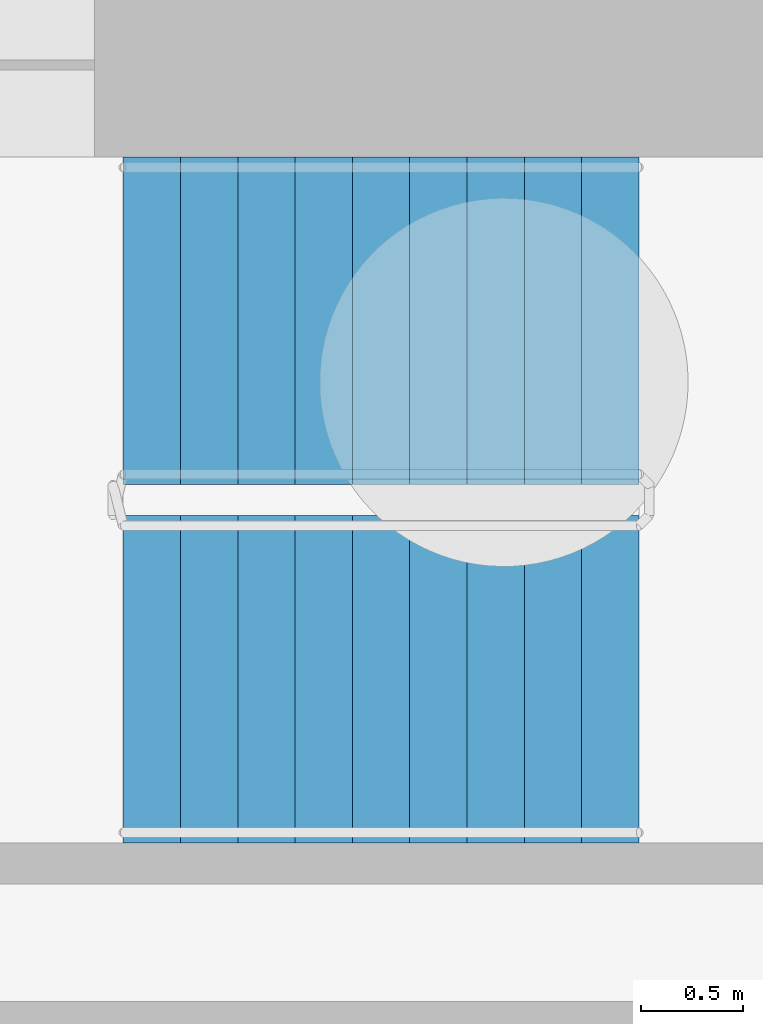
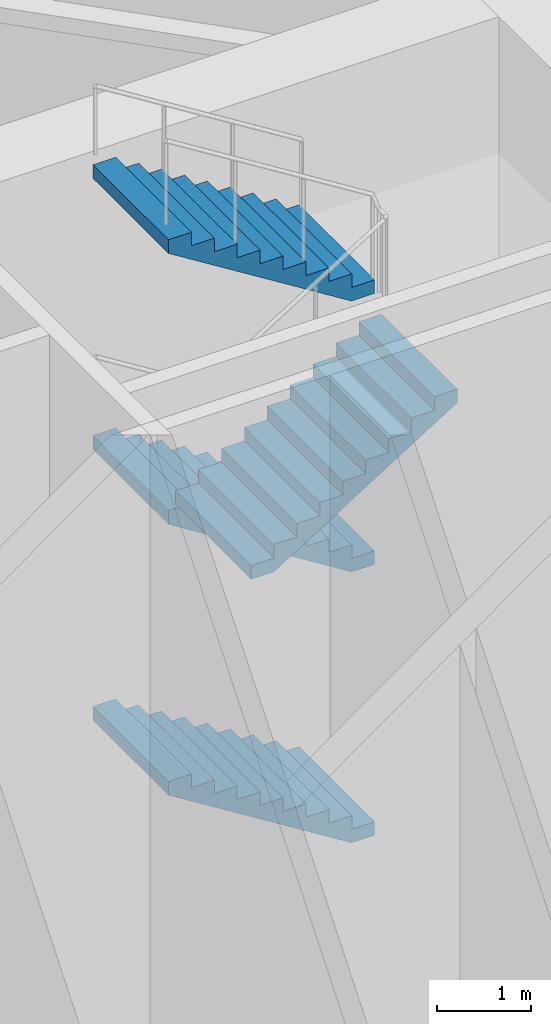
# One storey, part 27 of 31: 4 stair flights, 1 element without a shape of its own.
"""IFC4 building model written with IfcOpenShell, lengths in metres."""

import ifcopenshell
import ifcopenshell.guid

model = None  # the IFC model being written
_history = None  # IfcOwnerHistory: only IFC2X3 demands one
_inside = {}  # id of a spatial element -> (the spatial element, [elements in it])
_under = {}  # id of a project, library or spatial element -> (it, [spatial elements below it])
_declared = {}  # id of a project -> (the project, [libraries it declares])
_typed = {}  # id of a type object -> (the type object, [elements of that type])
_made_of = {}  # id of a material, layer set ... -> (it, [elements and type objects made of it])


def new_model(schema):
    """Start an empty IFC model of exactly this schema.

    Asked for "IFC4X3", IfcOpenShell would pick the latest addendum, in which some entities
    have other attributes; the version numbers below select the first issue.
    IFC2X3 requires an IfcOwnerHistory on every rooted entity: one is made here for all.
    """
    global model, _history
    if schema == "IFC4X3":
        model = ifcopenshell.file(schema_version=(4, 3, 0, 0))
    else:
        model = ifcopenshell.file(schema=schema)
    _inside.clear()
    _under.clear()
    _declared.clear()
    _typed.clear()
    _made_of.clear()
    _history = None
    if model.schema == "IFC2X3":
        org = make("IfcOrganization", Name="unknown")
        user = make(
            "IfcPersonAndOrganization",
            ThePerson=make("IfcPerson", FamilyName="unknown"),
            TheOrganization=org,
        )
        app = make(
            "IfcApplication",
            ApplicationDeveloper=org,
            Version="unknown",
            ApplicationFullName="unknown",
            ApplicationIdentifier="unknown",
        )
        _history = make(
            "IfcOwnerHistory",
            OwningUser=user,
            OwningApplication=app,
            ChangeAction="ADDED",
            CreationDate=0,
        )
    return model


def make(cls, **values):
    """One entity of the class cls with the attributes given. An attribute that is None is left unset."""
    return model.create_entity(
        cls, **{name: value for name, value in values.items() if value is not None}
    )


def rooted(cls, **values):
    """An entity with a GlobalId (a new one), such as an element, a storey or a relation."""
    return make(cls, GlobalId=ifcopenshell.guid.new(), OwnerHistory=_history, **values)


def si_unit(unit_type, name, prefix=None):
    """IfcSIUnit, for example si_unit("LENGTHUNIT", "METRE", prefix="MILLI")."""
    return make("IfcSIUnit", UnitType=unit_type, Prefix=prefix, Name=name)


def assignment(units):
    """IfcUnitAssignment: the units of a project."""
    return None if units is None else make("IfcUnitAssignment", Units=units)


def point(xyz):
    """IfcCartesianPoint."""
    return None if xyz is None else make("IfcCartesianPoint", Coordinates=xyz)


def direction(xyz):
    """IfcDirection."""
    return None if xyz is None else make("IfcDirection", DirectionRatios=xyz)


def frame(location, z_axis=None, x_axis=None):
    """IfcAxis2Placement3D, a coordinate frame: its origin and axes. An axis left out is left unset."""
    return make(
        "IfcAxis2Placement3D",
        Location=point(location),
        Axis=direction(z_axis),
        RefDirection=direction(x_axis),
    )


def origin():
    """The frame at (0, 0, 0) with its axes left unset."""
    return frame((0.0, 0.0, 0.0))


def place(relative_to, where):
    """IfcLocalPlacement: puts the frame where relative to a parent placement (None: the world)."""
    return make(
        "IfcLocalPlacement", PlacementRelTo=relative_to, RelativePlacement=where
    )


def context(
    kind, dimensions, precision=None, world=None, true_north=None, identifier=None
):
    """IfcGeometricRepresentationContext, for example the 3D "Model" context."""
    return make(
        "IfcGeometricRepresentationContext",
        ContextIdentifier=identifier,
        ContextType=kind,
        CoordinateSpaceDimension=dimensions,
        Precision=precision,
        WorldCoordinateSystem=world,
        TrueNorth=true_north,
    )


def subcontext(parent, identifier, kind, view, scale=None):
    """IfcGeometricRepresentationSubContext, for example "Body" below "Model"."""
    return make(
        "IfcGeometricRepresentationSubContext",
        ContextIdentifier=identifier,
        ContextType=kind,
        ParentContext=parent,
        TargetScale=scale,
        TargetView=view,
    )


def project(units=None, contexts=None):
    """IfcProject with its units and contexts."""
    return rooted(
        "IfcProject",
        Name="project",
        RepresentationContexts=contexts,
        UnitsInContext=assignment(units),
    )


def spatial(cls, under=None, at=None, **own):
    """A site, building, storey or space (cls), placed at a placement, below another one or the project."""
    s = rooted(cls, ObjectPlacement=at, **own)
    if under is not None:
        _under.setdefault(under.id(), (under, []))[1].append(s)
    return s


def polyline(points):
    """IfcPolyline through the points."""
    return make("IfcPolyline", Points=[point(p) for p in points])


def outline(outer, holes=None, kind="AREA"):
    """IfcArbitraryClosedProfileDef: a profile drawn as a closed curve; with holes, ...WithVoids."""
    if holes is None:
        return make("IfcArbitraryClosedProfileDef", ProfileType=kind, OuterCurve=outer)
    return make(
        "IfcArbitraryProfileDefWithVoids",
        ProfileType=kind,
        OuterCurve=outer,
        InnerCurves=holes,
    )


def extrude(swept, where, along, depth):
    """IfcExtrudedAreaSolid: the profile swept, set in the frame where, extruded along a direction by depth."""
    return make(
        "IfcExtrudedAreaSolid",
        SweptArea=swept,
        Position=where,
        ExtrudedDirection=direction(along),
        Depth=depth,
    )


def shape(context_of_items, identifier, shape_type, items):
    """IfcShapeRepresentation: the items that make up one representation, for example the "Body"."""
    return make(
        "IfcShapeRepresentation",
        ContextOfItems=context_of_items,
        RepresentationIdentifier=identifier,
        RepresentationType=shape_type,
        Items=items,
    )


def material(Name=None, Category=None):
    """IfcMaterial."""
    return make("IfcMaterial", Name=Name, Category=Category)


def made_of(thing, what):
    """Note that an element or type object is made of a material, layer set ...; save() writes the relation."""
    if what is not None:
        _made_of.setdefault(what.id(), (what, []))[1].append(thing)
    return thing


def type_object(cls, material=None, **own):
    """A type object (cls), such as IfcWallType, which elements share."""
    return made_of(rooted(cls, **own), material)


def element(
    cls,
    number,
    at=None,
    inside=None,
    cuts=None,
    type_object=None,
    material=None,
    context=None,
    identifier="Body",
    shape_type=None,
    held_by="IfcProductDefinitionShape",
    body=None,
    shapes=None,
    **own,
):
    """One element of the class cls, such as IfcWall. Its Tag is "e" and its number.

    at: its placement. inside: the storey or other place that contains it. cuts: it is an
    opening in that element (IfcRelVoidsElement). A single representation is given by context,
    identifier, shape_type and body (its items); several are given by shapes. held_by: the class
    of the entity that holds the representations. save() writes the other relations.
    """
    e = rooted(cls, Tag="e%d" % number, ObjectPlacement=at, **own)
    if body is not None:
        shapes = [shape(context, identifier, shape_type, body)]
    if shapes is not None:
        e.Representation = make(held_by, Representations=shapes)
    if inside is not None:
        _inside.setdefault(inside.id(), (inside, []))[1].append(e)
    if cuts is not None:
        rooted(
            "IfcRelVoidsElement", RelatingBuildingElement=cuts, RelatedOpeningElement=e
        )
    if type_object is not None:
        _typed.setdefault(type_object.id(), (type_object, []))[1].append(e)
    return made_of(e, material)


def aggregate(whole, parts):
    """IfcRelAggregates: a whole, such as a stair, and the parts it consists of."""
    return rooted("IfcRelAggregates", RelatingObject=whole, RelatedObjects=parts)


def save(model, path):
    """Write the relations noted so far, then the file.

    IfcRelAggregates (storeys below a building ...), IfcRelContainedInSpatialStructure (elements
    in a storey), IfcRelDefinesByType, IfcRelAssociatesMaterial and IfcRelDeclares: one each for
    every whole, place, type object, material and project.
    """
    for whole, parts in _under.values():
        aggregate(whole, parts)
    for where, things in _inside.values():
        rooted(
            "IfcRelContainedInSpatialStructure",
            RelatedElements=things,
            RelatingStructure=where,
        )
    for kind, things in _typed.values():
        rooted("IfcRelDefinesByType", RelatedObjects=things, RelatingType=kind)
    for what, things in _made_of.values():
        rooted("IfcRelAssociatesMaterial", RelatedObjects=things, RelatingMaterial=what)
    for by, libraries in _declared.values():
        rooted("IfcRelDeclares", RelatingContext=by, RelatedDefinitions=libraries)
    model.write(path)


model = new_model("IFC4")

# Units and contexts
model_context = context("Model", 3, precision=1e-05, world=origin(), true_north=direction((0.0, 1.0)))
body_context = subcontext(model_context, "Body", "Model", "MODEL_VIEW")
ifc_project = project(units=[si_unit("LENGTHUNIT", "METRE"), si_unit("AREAUNIT", "SQUARE_METRE"), si_unit("VOLUMEUNIT", "CUBIC_METRE"), si_unit("PLANEANGLEUNIT", "RADIAN"), si_unit("MASSUNIT", "GRAM", prefix="KILO")], contexts=[model_context])

# Site, building, storey
site_placement = place(None, origin())
site = spatial("IfcSite", under=ifc_project, at=site_placement, CompositionType="ELEMENT")
building_placement = place(site_placement, origin())
building = spatial("IfcBuilding", under=site, at=building_placement, Name="Orlundy Tower", CompositionType="ELEMENT")
storey_placement = place(building_placement, origin())
storey = spatial("IfcBuildingStorey", under=building, at=storey_placement, Name="L00", CompositionType="ELEMENT", Elevation=0.0)

# Stair, stair flights
ifc_material_1 = material(Name="Concrete C50/60", Category="concrete")
stair_type = type_object("IfcStairType", Name="Exit Stair 60 risers", PredefinedType="HALF_TURN_STAIR", material=ifc_material_1)
stair_placement = place(storey_placement, origin())
stair = element("IfcStair", 1, at=stair_placement, inside=storey, type_object=stair_type, Name="L00 Exit Stair ST-E2", PredefinedType="HALF_TURN_STAIR")
ifc_material_2 = material(Name="Concrete C50/60", Category="concrete")
stair_flight_type = type_object("IfcStairFlightType", Name="Stair Flight 10 risers", PredefinedType="STRAIGHT", material=ifc_material_2)
stair_flight_1_placement = place(storey_placement, frame((15.659912109375, 10.300048828125, 1.75), z_axis=(0.0, 0.0, 1.0), x_axis=(-1.0, 0.0, 0.0)))
stair_flight_1 = element("IfcStairFlight", 2, at=stair_flight_1_placement, type_object=stair_flight_type, Name="ST-E2 flight 2", NumberOfRisers=10, NumberOfTreads=9, PredefinedType="STRAIGHT", RiserHeight=0.175, TreadLength=0.28, context=body_context, shape_type="SweptSolid", body=[
    extrude(outline(polyline([(0.0, 0.0), (0.0, 0.175048828125), (0.280029296875, 0.175048828125), (0.280029296875, 0.35009765625), (0.56005859375, 0.35009765625), (0.56005859375, 0.52490234375), (0.840087890625, 0.52490234375), (0.840087890625, 0.699951171875), (1.1201171875, 0.699951171875), (1.1201171875, 0.875), (1.39990234375, 0.875), (1.39990234375, 1.050048828125), (1.679931640625, 1.050048828125), (1.679931640625, 1.22509765625), (1.9599609375, 1.22509765625), (1.9599609375, 1.39990234375), (2.239990234375, 1.39990234375), (2.239990234375, 1.574951171875), (2.52001953125, 1.574951171875), (2.52001953125, 1.75), (2.52001953125, 1.398193359375), (0.28271484375, 0.0), (0.0, 0.0)])), frame((0.0, 0.800048828125, 0.0), z_axis=(0.0, -1.0, 0.0), x_axis=(1.0, 0.0, 0.0)), (0.0, 0.0, 1.0), 1.60009765625),
])
stair_flight_2_placement = place(storey_placement, frame((15.659912109375, 10.300048828125, 5.25), z_axis=(0.0, 0.0, 1.0), x_axis=(-1.0, 0.0, 0.0)))
stair_flight_2 = element("IfcStairFlight", 3, at=stair_flight_2_placement, type_object=stair_flight_type, Name="ST-E2 flight 4", NumberOfRisers=10, NumberOfTreads=9, PredefinedType="STRAIGHT", RiserHeight=0.175, TreadLength=0.28, context=body_context, shape_type="SweptSolid", body=[
    extrude(outline(polyline([(0.0, 0.0), (0.0, 0.175048828125), (0.280029296875, 0.175048828125), (0.280029296875, 0.35009765625), (0.56005859375, 0.35009765625), (0.56005859375, 0.52490234375), (0.840087890625, 0.52490234375), (0.840087890625, 0.699951171875), (1.1201171875, 0.699951171875), (1.1201171875, 0.875), (1.39990234375, 0.875), (1.39990234375, 1.050048828125), (1.679931640625, 1.050048828125), (1.679931640625, 1.22509765625), (1.9599609375, 1.22509765625), (1.9599609375, 1.39990234375), (2.239990234375, 1.39990234375), (2.239990234375, 1.574951171875), (2.52001953125, 1.574951171875), (2.52001953125, 1.75), (2.52001953125, 1.398193359375), (0.28271484375, 0.0), (0.0, 0.0)])), frame((0.0, 0.800048828125, 0.0), z_axis=(0.0, -1.0, 0.0), x_axis=(1.0, 0.0, 0.0)), (0.0, 0.0, 1.0), 1.60009765625),
])
stair_flight_3_placement = place(storey_placement, frame((13.139892578125, 8.550048828125, 7.0), z_axis=(0.0, 0.0, 1.0), x_axis=(1.0, 0.0, 0.0)))
stair_flight_3 = element("IfcStairFlight", 4, at=stair_flight_3_placement, type_object=stair_flight_type, Name="ST-E2 flight 5", NumberOfRisers=10, NumberOfTreads=9, PredefinedType="STRAIGHT", RiserHeight=0.175, TreadLength=0.28, context=body_context, shape_type="SweptSolid", body=[
    extrude(outline(polyline([(0.0, 0.0), (0.0, 0.175048828125), (0.280029296875, 0.175048828125), (0.280029296875, 0.35009765625), (0.56005859375, 0.35009765625), (0.56005859375, 0.52490234375), (0.840087890625, 0.52490234375), (0.840087890625, 0.699951171875), (1.1201171875, 0.699951171875), (1.1201171875, 0.875), (1.39990234375, 0.875), (1.39990234375, 1.050048828125), (1.679931640625, 1.050048828125), (1.679931640625, 1.22509765625), (1.9599609375, 1.22509765625), (1.9599609375, 1.39990234375), (2.239990234375, 1.39990234375), (2.239990234375, 1.574951171875), (2.52001953125, 1.574951171875), (2.52001953125, 1.75), (2.52001953125, 1.398193359375), (0.28271484375, 0.0), (0.0, 0.0)])), frame((0.0, 0.800048828125, 0.0), z_axis=(0.0, -1.0, 0.0), x_axis=(1.0, 0.0, 0.0)), (0.0, 0.0, 1.0), 1.60009765625),
])
stair_flight_4_placement = place(storey_placement, frame((15.659912109375, 10.300048828125, 8.75), z_axis=(0.0, 0.0, 1.0), x_axis=(-1.0, 0.0, 0.0)))
stair_flight_4 = element("IfcStairFlight", 5, at=stair_flight_4_placement, type_object=stair_flight_type, Name="ST-E2 flight 6", NumberOfRisers=10, NumberOfTreads=9, PredefinedType="STRAIGHT", RiserHeight=0.175, TreadLength=0.28, context=body_context, shape_type="SweptSolid", body=[
    extrude(outline(polyline([(0.0, 0.0), (0.0, 0.175048828125), (0.280029296875, 0.175048828125), (0.280029296875, 0.35009765625), (0.56005859375, 0.35009765625), (0.56005859375, 0.52490234375), (0.840087890625, 0.52490234375), (0.840087890625, 0.699951171875), (1.1201171875, 0.699951171875), (1.1201171875, 0.875), (1.39990234375, 0.875), (1.39990234375, 1.050048828125), (1.679931640625, 1.050048828125), (1.679931640625, 1.22509765625), (1.9599609375, 1.22509765625), (1.9599609375, 1.39990234375), (2.239990234375, 1.39990234375), (2.239990234375, 1.574951171875), (2.52001953125, 1.574951171875), (2.52001953125, 1.75), (2.52001953125, 1.398193359375), (0.28271484375, 0.0), (0.0, 0.0)])), frame((0.0, 0.800048828125, 0.0), z_axis=(0.0, -1.0, 0.0), x_axis=(1.0, 0.0, 0.0)), (0.0, 0.0, 1.0), 1.60009765625),
])
aggregate(stair, [stair_flight_1, stair_flight_2, stair_flight_3, stair_flight_4])

save(model, "model.ifc")
